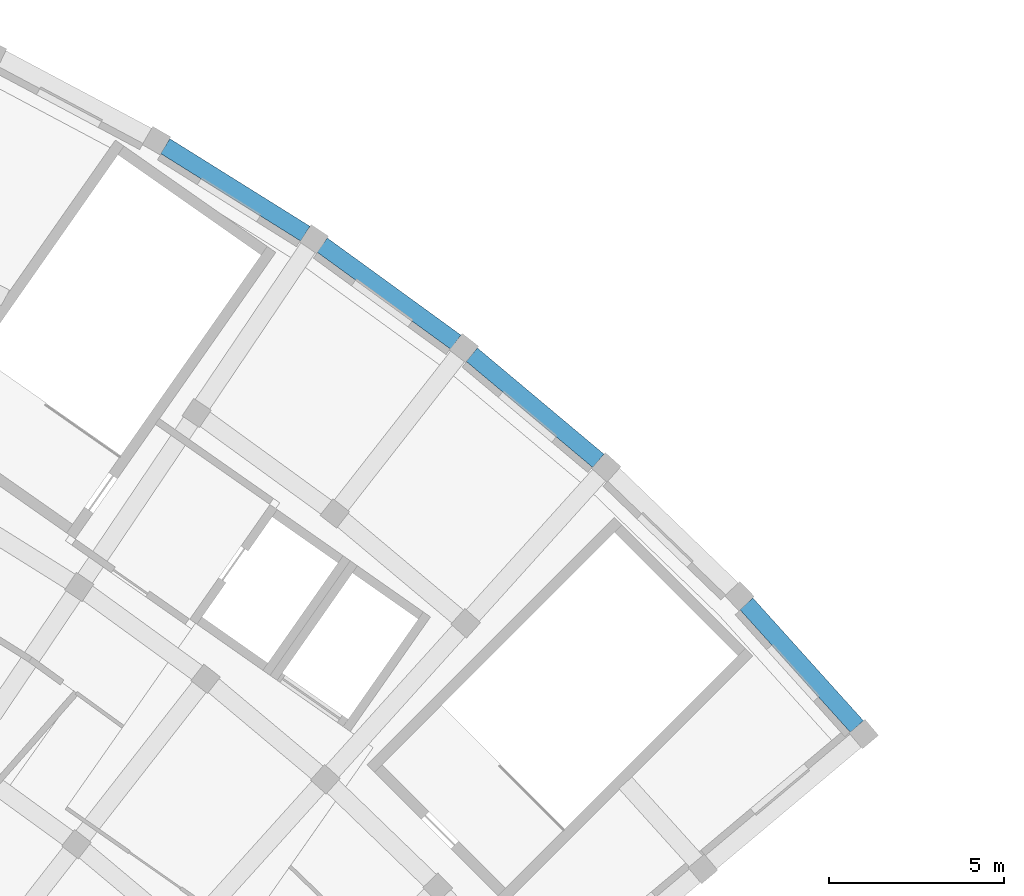
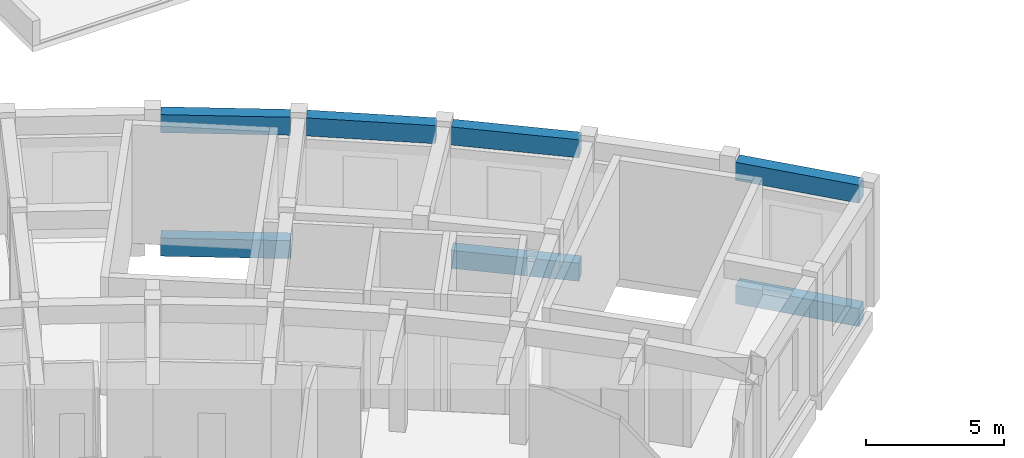
# One storey, part 50 of 94: 7 beams.
"""IFC4 building model written with IfcOpenShell, lengths in metres."""

import ifcopenshell
import ifcopenshell.guid

model = None  # the IFC model being written
_history = None  # IfcOwnerHistory: only IFC2X3 demands one
_inside = {}  # id of a spatial element -> (the spatial element, [elements in it])
_under = {}  # id of a project, library or spatial element -> (it, [spatial elements below it])
_declared = {}  # id of a project -> (the project, [libraries it declares])
_typed = {}  # id of a type object -> (the type object, [elements of that type])
_made_of = {}  # id of a material, layer set ... -> (it, [elements and type objects made of it])


def new_model(schema):
    """Start an empty IFC model of exactly this schema.

    Asked for "IFC4X3", IfcOpenShell would pick the latest addendum, in which some entities
    have other attributes; the version numbers below select the first issue.
    IFC2X3 requires an IfcOwnerHistory on every rooted entity: one is made here for all.
    """
    global model, _history
    if schema == "IFC4X3":
        model = ifcopenshell.file(schema_version=(4, 3, 0, 0))
    else:
        model = ifcopenshell.file(schema=schema)
    _inside.clear()
    _under.clear()
    _declared.clear()
    _typed.clear()
    _made_of.clear()
    _history = None
    if model.schema == "IFC2X3":
        org = make("IfcOrganization", Name="unknown")
        user = make(
            "IfcPersonAndOrganization",
            ThePerson=make("IfcPerson", FamilyName="unknown"),
            TheOrganization=org,
        )
        app = make(
            "IfcApplication",
            ApplicationDeveloper=org,
            Version="unknown",
            ApplicationFullName="unknown",
            ApplicationIdentifier="unknown",
        )
        _history = make(
            "IfcOwnerHistory",
            OwningUser=user,
            OwningApplication=app,
            ChangeAction="ADDED",
            CreationDate=0,
        )
    return model


def make(cls, **values):
    """One entity of the class cls with the attributes given. An attribute that is None is left unset."""
    return model.create_entity(
        cls, **{name: value for name, value in values.items() if value is not None}
    )


def rooted(cls, **values):
    """An entity with a GlobalId (a new one), such as an element, a storey or a relation."""
    return make(cls, GlobalId=ifcopenshell.guid.new(), OwnerHistory=_history, **values)


def si_unit(unit_type, name, prefix=None):
    """IfcSIUnit, for example si_unit("LENGTHUNIT", "METRE", prefix="MILLI")."""
    return make("IfcSIUnit", UnitType=unit_type, Prefix=prefix, Name=name)


def assignment(units):
    """IfcUnitAssignment: the units of a project."""
    return None if units is None else make("IfcUnitAssignment", Units=units)


def point(xyz):
    """IfcCartesianPoint."""
    return None if xyz is None else make("IfcCartesianPoint", Coordinates=xyz)


def direction(xyz):
    """IfcDirection."""
    return None if xyz is None else make("IfcDirection", DirectionRatios=xyz)


def frame(location, z_axis=None, x_axis=None):
    """IfcAxis2Placement3D, a coordinate frame: its origin and axes. An axis left out is left unset."""
    return make(
        "IfcAxis2Placement3D",
        Location=point(location),
        Axis=direction(z_axis),
        RefDirection=direction(x_axis),
    )


def frame_2d(location, x_axis=None):
    """IfcAxis2Placement2D, a coordinate frame in the plane: its origin and x axis."""
    return make(
        "IfcAxis2Placement2D", Location=point(location), RefDirection=direction(x_axis)
    )


def origin():
    """The frame at (0, 0, 0) with its axes left unset."""
    return frame((0.0, 0.0, 0.0))


def origin_2d():
    """The frame at (0, 0) in the plane with its x axis left unset."""
    return frame_2d((0.0, 0.0))


def place(relative_to, where):
    """IfcLocalPlacement: puts the frame where relative to a parent placement (None: the world)."""
    return make(
        "IfcLocalPlacement", PlacementRelTo=relative_to, RelativePlacement=where
    )


def context(
    kind, dimensions, precision=None, world=None, true_north=None, identifier=None
):
    """IfcGeometricRepresentationContext, for example the 3D "Model" context."""
    return make(
        "IfcGeometricRepresentationContext",
        ContextIdentifier=identifier,
        ContextType=kind,
        CoordinateSpaceDimension=dimensions,
        Precision=precision,
        WorldCoordinateSystem=world,
        TrueNorth=true_north,
    )


def subcontext(parent, identifier, kind, view, scale=None):
    """IfcGeometricRepresentationSubContext, for example "Body" below "Model"."""
    return make(
        "IfcGeometricRepresentationSubContext",
        ContextIdentifier=identifier,
        ContextType=kind,
        ParentContext=parent,
        TargetScale=scale,
        TargetView=view,
    )


def project(units=None, contexts=None):
    """IfcProject with its units and contexts."""
    return rooted(
        "IfcProject",
        Name="project",
        RepresentationContexts=contexts,
        UnitsInContext=assignment(units),
    )


def spatial(cls, under=None, at=None, **own):
    """A site, building, storey or space (cls), placed at a placement, below another one or the project."""
    s = rooted(cls, ObjectPlacement=at, **own)
    if under is not None:
        _under.setdefault(under.id(), (under, []))[1].append(s)
    return s


def profile(cls, at=None, kind="AREA", **sizes):
    """A parametric profile (cls). Its sizes go by their IFC names, for example OverallWidth=200.0."""
    return make(cls, ProfileType=kind, Position=at, **sizes)


def rectangle(**sizes):
    """IfcRectangleProfileDef."""
    return profile("IfcRectangleProfileDef", **sizes)


def extrude(swept, where, along, depth):
    """IfcExtrudedAreaSolid: the profile swept, set in the frame where, extruded along a direction by depth."""
    return make(
        "IfcExtrudedAreaSolid",
        SweptArea=swept,
        Position=where,
        ExtrudedDirection=direction(along),
        Depth=depth,
    )


def shape(context_of_items, identifier, shape_type, items):
    """IfcShapeRepresentation: the items that make up one representation, for example the "Body"."""
    return make(
        "IfcShapeRepresentation",
        ContextOfItems=context_of_items,
        RepresentationIdentifier=identifier,
        RepresentationType=shape_type,
        Items=items,
    )


def material(Name=None, Category=None):
    """IfcMaterial."""
    return make("IfcMaterial", Name=Name, Category=Category)


def material_profile(
    of_material, cross_section, Name=None, Category=None, Priority=None
):
    """IfcMaterialProfile: a cross section and its material."""
    return make(
        "IfcMaterialProfile",
        Name=Name,
        Material=of_material,
        Profile=cross_section,
        Priority=Priority,
        Category=Category,
    )


def profile_set(profiles, Name=None, composite=None):
    """IfcMaterialProfileSet."""
    return make(
        "IfcMaterialProfileSet",
        Name=Name,
        MaterialProfiles=profiles,
        CompositeProfile=composite,
    )


def made_of(thing, what):
    """Note that an element or type object is made of a material, layer set ...; save() writes the relation."""
    if what is not None:
        _made_of.setdefault(what.id(), (what, []))[1].append(thing)
    return thing


def type_object(cls, material=None, **own):
    """A type object (cls), such as IfcWallType, which elements share."""
    return made_of(rooted(cls, **own), material)


def element(
    cls,
    number,
    at=None,
    inside=None,
    cuts=None,
    type_object=None,
    material=None,
    context=None,
    identifier="Body",
    shape_type=None,
    held_by="IfcProductDefinitionShape",
    body=None,
    shapes=None,
    **own,
):
    """One element of the class cls, such as IfcWall. Its Tag is "e" and its number.

    at: its placement. inside: the storey or other place that contains it. cuts: it is an
    opening in that element (IfcRelVoidsElement). A single representation is given by context,
    identifier, shape_type and body (its items); several are given by shapes. held_by: the class
    of the entity that holds the representations. save() writes the other relations.
    """
    e = rooted(cls, Tag="e%d" % number, ObjectPlacement=at, **own)
    if body is not None:
        shapes = [shape(context, identifier, shape_type, body)]
    if shapes is not None:
        e.Representation = make(held_by, Representations=shapes)
    if inside is not None:
        _inside.setdefault(inside.id(), (inside, []))[1].append(e)
    if cuts is not None:
        rooted(
            "IfcRelVoidsElement", RelatingBuildingElement=cuts, RelatedOpeningElement=e
        )
    if type_object is not None:
        _typed.setdefault(type_object.id(), (type_object, []))[1].append(e)
    return made_of(e, material)


def aggregate(whole, parts):
    """IfcRelAggregates: a whole, such as a stair, and the parts it consists of."""
    return rooted("IfcRelAggregates", RelatingObject=whole, RelatedObjects=parts)


def save(model, path):
    """Write the relations noted so far, then the file.

    IfcRelAggregates (storeys below a building ...), IfcRelContainedInSpatialStructure (elements
    in a storey), IfcRelDefinesByType, IfcRelAssociatesMaterial and IfcRelDeclares: one each for
    every whole, place, type object, material and project.
    """
    for whole, parts in _under.values():
        aggregate(whole, parts)
    for where, things in _inside.values():
        rooted(
            "IfcRelContainedInSpatialStructure",
            RelatedElements=things,
            RelatingStructure=where,
        )
    for kind, things in _typed.values():
        rooted("IfcRelDefinesByType", RelatedObjects=things, RelatingType=kind)
    for what, things in _made_of.values():
        rooted("IfcRelAssociatesMaterial", RelatedObjects=things, RelatingMaterial=what)
    for by, libraries in _declared.values():
        rooted("IfcRelDeclares", RelatingContext=by, RelatedDefinitions=libraries)
    model.write(path)


model = new_model("IFC4")

# Units and contexts
model_context = context("Model", 3, precision=1e-05, world=origin(), true_north=direction((0.0, 1.0)))
body_context = subcontext(model_context, "Body", "Model", "MODEL_VIEW")
ifc_project = project(units=[si_unit("LENGTHUNIT", "METRE"), si_unit("AREAUNIT", "SQUARE_METRE"), si_unit("VOLUMEUNIT", "CUBIC_METRE"), si_unit("PLANEANGLEUNIT", "RADIAN"), si_unit("MASSUNIT", "GRAM", prefix="KILO")], contexts=[model_context])

# Site, building, storey
site_placement = place(None, origin())
site = spatial("IfcSite", under=ifc_project, at=site_placement, CompositionType="ELEMENT")
building_placement = place(site_placement, origin())
building = spatial("IfcBuilding", under=site, at=building_placement, Name="Lunette Opera House", CompositionType="ELEMENT")
storey_placement = place(building_placement, frame((0.0, 0.0, 22.5)))
storey = spatial("IfcBuildingStorey", under=building, at=storey_placement, Name="L04", CompositionType="ELEMENT", Elevation=22.5)

# Beams
ifc_material = material(Name="Concrete C35/45", Category="concrete")
ifc_material_profile = material_profile(ifc_material, rectangle(XDim=0.5, YDim=0.800048828125, at=origin_2d()), Name="RC BEAM 500X800")
ifc_profile_set = profile_set([ifc_material_profile], Name="Concrete C35/45")
beam_type = type_object("IfcBeamType", Name="RC BEAM 500X800", PredefinedType="BEAM", material=ifc_profile_set)
beam_1_placement = place(storey_placement, frame((134.24609375, 65.6640625, -0.6201171875), z_axis=(0.848102800319, -0.529831709217, 0.0), x_axis=(0.529831709217, 0.848102800319, 0.0)))
element("IfcBeam", 1, at=beam_1_placement, inside=storey, type_object=beam_type, Name="beam-FC-L04-L04-RG-AR-C-RL-21", PredefinedType="BEAM", context=body_context, shape_type="SweptSolid", body=[
    extrude(rectangle(XDim=0.5, YDim=0.800048828125, at=origin_2d()), origin(), (0.0, 0.0, 1.0), 4.724365234375),
])
beam_2_placement = place(storey_placement, frame((143.011962890625, 59.701904296875, -0.6201171875), z_axis=(0.76622683329, -0.642570182895, 0.0), x_axis=(0.642570182895, 0.76622683329, 0.0)))
element("IfcBeam", 2, at=beam_2_placement, inside=storey, type_object=beam_type, Name="beam-FC-L04-L04-RG-AR-C-RL-23", PredefinedType="BEAM", context=body_context, shape_type="SweptSolid", body=[
    extrude(rectangle(XDim=0.5, YDim=0.800048828125, at=origin_2d()), origin(), (0.0, 0.0, 1.0), 4.724609375),
])
beam_3_placement = place(storey_placement, frame((150.864013671875, 52.577880859375, -0.6201171875), z_axis=(0.66921028661, -0.743073073322, 0.0), x_axis=(0.743073073322, 0.66921028661, 0.0)))
element("IfcBeam", 3, at=beam_3_placement, inside=storey, type_object=beam_type, Name="beam-FC-L04-L04-RG-AR-C-RL-25", PredefinedType="BEAM", context=body_context, shape_type="SweptSolid", body=[
    extrude(rectangle(XDim=0.5, YDim=0.800048828125, at=origin_2d()), origin(), (0.0, 0.0, 1.0), 4.723388671875),
])
beam_4_placement = place(storey_placement, frame((134.24609375, 65.6640625, 4.85009765625), z_axis=(0.848102800319, -0.529831709217, 0.0), x_axis=(0.529831709217, 0.848102800319, 0.0)))
element("IfcBeam", 4, at=beam_4_placement, inside=storey, type_object=beam_type, Name="beam-FC-L04-RF-RG-AR-C-RL-21", PredefinedType="BEAM", context=body_context, shape_type="SweptSolid", body=[
    extrude(rectangle(XDim=0.5, YDim=0.800048828125, at=origin_2d()), origin(), (0.0, 0.0, 1.0), 4.724365234375),
])
beam_5_placement = place(storey_placement, frame((138.73388671875, 62.8359375, 4.85009765625), z_axis=(0.809044453517, -0.587747456169, 0.0), x_axis=(0.587747456169, 0.809044453517, 0.0)))
element("IfcBeam", 5, at=beam_5_placement, inside=storey, type_object=beam_type, Name="beam-FC-L04-RF-RG-AR-C-RL-22", PredefinedType="BEAM", context=body_context, shape_type="SweptSolid", body=[
    extrude(rectangle(XDim=0.5, YDim=0.800048828125, at=origin_2d()), origin(), (0.0, 0.0, 1.0), 4.722900390625),
])
beam_6_placement = place(storey_placement, frame((143.011962890625, 59.701904296875, 4.85009765625), z_axis=(0.76622683329, -0.642570182895, 0.0), x_axis=(0.642570182895, 0.76622683329, 0.0)))
element("IfcBeam", 6, at=beam_6_placement, inside=storey, type_object=beam_type, Name="beam-FC-L04-RF-RG-AR-C-RL-23", PredefinedType="BEAM", context=body_context, shape_type="SweptSolid", body=[
    extrude(rectangle(XDim=0.5, YDim=0.800048828125, at=origin_2d()), origin(), (0.0, 0.0, 1.0), 4.724609375),
])
beam_7_placement = place(storey_placement, frame((150.864013671875, 52.577880859375, 4.85009765625), z_axis=(0.66921028661, -0.743073073322, 0.0), x_axis=(0.743073073322, 0.66921028661, 0.0)))
element("IfcBeam", 7, at=beam_7_placement, inside=storey, type_object=beam_type, Name="beam-FC-L04-RF-RG-AR-C-RL-25", PredefinedType="BEAM", context=body_context, shape_type="SweptSolid", body=[
    extrude(rectangle(XDim=0.5, YDim=0.800048828125, at=origin_2d()), origin(), (0.0, 0.0, 1.0), 4.723388671875),
])

save(model, "model.ifc")
